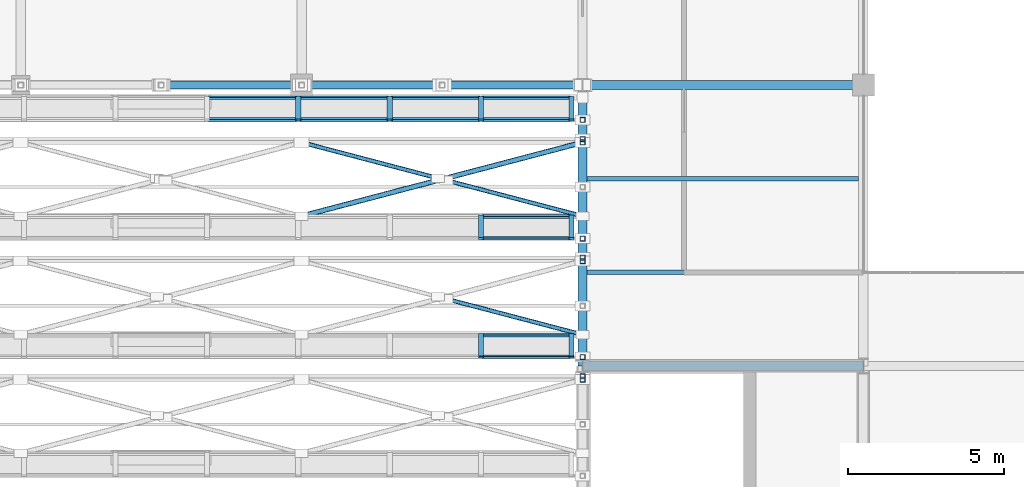
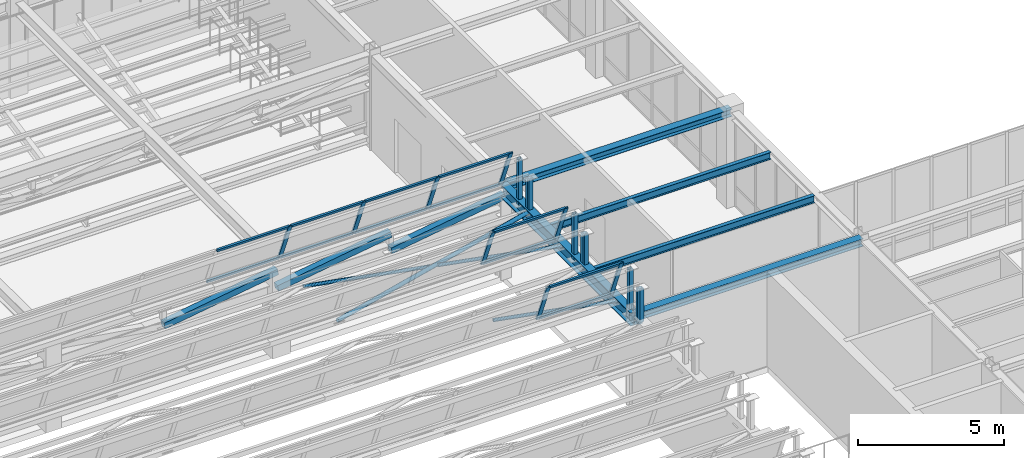
# One storey, part 25 of 108: 36 members, 5 beams, 3 elements without a shape of their own.
"""IFC4 building model written with IfcOpenShell, lengths in metres."""

from ifc_helpers import new_model, si_unit, direction, frame, origin, origin_2d, place, context, subcontext, project, spatial, hollow_rectangle, hollow_circle, i_section, extrude, material, material_profile, profile_set, type_object, element, aggregate, save


model = new_model("IFC4")

# Units and contexts
model_context = context("Model", 3, precision=1e-05, world=origin(), true_north=direction((0.0, 1.0)))
body_context = subcontext(model_context, "Body", "Model", "MODEL_VIEW")
ifc_project = project(units=[si_unit("LENGTHUNIT", "METRE"), si_unit("AREAUNIT", "SQUARE_METRE"), si_unit("VOLUMEUNIT", "CUBIC_METRE"), si_unit("PLANEANGLEUNIT", "RADIAN"), si_unit("MASSUNIT", "GRAM", prefix="KILO")], contexts=[model_context])

# Site, building, storey
site_placement = place(None, origin())
site = spatial("IfcSite", under=ifc_project, at=site_placement, CompositionType="ELEMENT")
building_placement = place(site_placement, origin())
building = spatial("IfcBuilding", under=site, at=building_placement, Name="Lykobir Media Centre", CompositionType="ELEMENT")
storey_placement = place(building_placement, frame((0.0, 0.0, 15.0)))
storey = spatial("IfcBuildingStorey", under=building, at=storey_placement, Name="L03", CompositionType="ELEMENT", Elevation=15.0)

# Beam
ifc_material_1 = material(Name="Steel S355", Category="steel")
ifc_material_profile_1 = material_profile(ifc_material_1, i_section(OverallWidth=0.300048828125, OverallDepth=0.550048828125, WebThickness=0.014892578125, FlangeThickness=0.029052734375, at=origin_2d()), Name="HEB 550")
ifc_profile_set_1 = profile_set([ifc_material_profile_1], Name="Steel S355")
beam_type_1 = type_object("IfcBeamType", Name="BM-SAW550", PredefinedType="BEAM", material=ifc_profile_set_1)
beam_placement = place(storey_placement, frame((27.0, 18.0, 3.675048828125), z_axis=(0.0, 1.0, 0.0), x_axis=(-1.0, 0.0, 0.0)))
element("IfcBeam", 1, at=beam_placement, inside=storey, type_object=beam_type_1, Name="Beam BM-L03-0270-0180-0270-0270-1868", PredefinedType="BEAM", context=body_context, shape_type="SweptSolid", body=[
    extrude(i_section(OverallWidth=0.300048828125, OverallDepth=0.550048828125, WebThickness=0.014892578125, FlangeThickness=0.029052734375, at=origin_2d()), origin(), (0.0, 0.0, 1.0), 9.0),
])

# Members
ifc_material_profile_2 = material_profile(ifc_material_1, hollow_circle(Radius=0.06982421875, WallThickness=0.008056640625, at=origin_2d()), Name="CHS 139.7x8.0")
ifc_profile_set_2 = profile_set([ifc_material_profile_2], Name="Steel S355")
member_type_1 = type_object("IfcMemberType", Name="BR-CHS140", PredefinedType="BRACE", material=ifc_profile_set_2)
for number, where, z_axis, x_axis, name in (
    (2, (27.0, 19.0, 3.840087890625), (-0.967266997824, 0.253760822274, 0.0), (-0.253760822274, -0.967266997824, 0.0), "Diagonal brace MEM2-L03-0270-0190-0188-0226-0201-0255"),
    (3, (27.0, 22.800048828125, 3.840087890625), (-0.967253715929, 0.253811443834, 0.0), (-0.253811443834, -0.967253715929, 0.0), "Diagonal brace MEM2-L03-0270-0228-0188-0226-0239-0276"),
    (4, (22.364501953125, 24.01611328125, 3.840087890625), (-0.967253715929, 0.253811443834, 0.0), (-0.253811443834, -0.967253715929, 0.0), "Diagonal brace MEM2-L03-0224-0240-0188-0180-0252-0277"),
):
    element("IfcMember", number, at=place(storey_placement, frame(where, z_axis=z_axis, x_axis=x_axis)), inside=storey, type_object=member_type_1, Name=name, PredefinedType="BRACE", context=body_context, shape_type="SweptSolid", body=[
        extrude(hollow_circle(Radius=0.06982421875, WallThickness=0.008056640625, at=origin_2d()), origin(), (0.0, 0.0, 1.0), 4.51220703125),
    ])
ifc_material_profile_3 = material_profile(ifc_material_1, hollow_circle(Radius=0.084228515625, WallThickness=0.010009765625, at=origin_2d()), Name="CHS 168.3x10.0")
ifc_profile_set_3 = profile_set([ifc_material_profile_3], Name="Steel S355")
member_type_2 = type_object("IfcMemberType", Name="BR-CHS168", PredefinedType="BRACE", material=ifc_profile_set_3)
member_1_placement = place(storey_placement, frame((18.0, 22.800048828125, 3.840087890625), z_axis=(0.967261887678, 0.253780299957, 0.0), x_axis=(-0.253780299957, 0.967261887678, 0.0)))
element("IfcMember", 5, at=member_1_placement, inside=storey, type_object=member_type_2, Name="Diagonal brace MEM2-L03-0180-0228-0188-0270-0252-0275", PredefinedType="BRACE", context=body_context, shape_type="SweptSolid", body=[
    extrude(hollow_circle(Radius=0.084228515625, WallThickness=0.010009765625, at=origin_2d()), origin(), (0.0, 0.0, 1.0), 9.3046875),
])
ifc_material_profile_4 = material_profile(ifc_material_1, hollow_rectangle(XDim=0.159912109375, YDim=0.159912109375, WallThickness=0.008056640625, at=origin_2d()), Name="SHS 160x160x8")
ifc_profile_set_4 = profile_set([ifc_material_profile_4], Name="Steel S355")
member_type_3 = type_object("IfcMemberType", Name="BR-SHS160", PredefinedType="BRACE", material=ifc_profile_set_4)
member_2_placement = place(storey_placement, frame((27.0, 18.28125, 3.699951171875), z_axis=(0.0, 0.0, 1.0), x_axis=(1.0, 0.0, 0.0)))
element("IfcMember", 6, at=member_2_placement, inside=storey, type_object=member_type_3, Name="Diagonal brace MEM2-L03-0270-0183-0187-0270-0183-0223", PredefinedType="BRACE", context=body_context, shape_type="SweptSolid", body=[
    extrude(hollow_rectangle(XDim=0.159912109375, YDim=0.159912109375, WallThickness=0.008056640625, at=origin_2d()), origin(), (0.0, 0.0, 1.0), 1.928955078125),
])
member_3_placement = place(storey_placement, frame((27.0, 17.561279296875, 3.840087890625), z_axis=(0.0, 0.0, 1.0), x_axis=(1.0, 0.0, 0.0)))
element("IfcMember", 7, at=member_3_placement, inside=storey, type_object=member_type_3, Name="Diagonal brace MEM2-L03-0270-0176-0188-0270-0176-0225", PredefinedType="BRACE", context=body_context, shape_type="SweptSolid", body=[
    extrude(hollow_rectangle(XDim=0.159912109375, YDim=0.159912109375, WallThickness=0.008056640625, at=origin_2d()), origin(), (0.0, 0.0, 1.0), 1.4033203125),
])
member_4_placement = place(storey_placement, frame((27.0, 17.66796875, 3.699951171875), z_axis=(0.0, 0.0, 1.0), x_axis=(1.0, 0.0, 0.0)))
element("IfcMember", 8, at=member_4_placement, inside=storey, type_object=member_type_3, Name="Diagonal brace MEM2-L03-0270-0177-0187-0270-0177-0240", PredefinedType="BRACE", context=body_context, shape_type="SweptSolid", body=[
    extrude(hollow_rectangle(XDim=0.159912109375, YDim=0.159912109375, WallThickness=0.008056640625, at=origin_2d()), origin(), (0.0, 0.0, 1.0), 1.472412109375),
])
member_5_placement = place(storey_placement, frame((27.0, 22.081298828125, 3.699951171875), z_axis=(0.0, 0.0, 1.0), x_axis=(1.0, 0.0, 0.0)))
element("IfcMember", 9, at=member_5_placement, inside=storey, type_object=member_type_3, Name="Diagonal brace MEM2-L03-0270-0221-0187-0270-0221-0243", PredefinedType="BRACE", context=body_context, shape_type="SweptSolid", body=[
    extrude(hollow_rectangle(XDim=0.159912109375, YDim=0.159912109375, WallThickness=0.008056640625, at=origin_2d()), origin(), (0.0, 0.0, 1.0), 1.928955078125),
])
member_6_placement = place(storey_placement, frame((27.0, 21.361328125, 3.840087890625), z_axis=(0.0, 0.0, 1.0), x_axis=(1.0, 0.0, 0.0)))
element("IfcMember", 10, at=member_6_placement, inside=storey, type_object=member_type_3, Name="Diagonal brace MEM2-L03-0270-0214-0188-0270-0214-0245", PredefinedType="BRACE", context=body_context, shape_type="SweptSolid", body=[
    extrude(hollow_rectangle(XDim=0.159912109375, YDim=0.159912109375, WallThickness=0.008056640625, at=origin_2d()), origin(), (0.0, 0.0, 1.0), 1.4033203125),
])
member_7_placement = place(storey_placement, frame((27.0, 21.468017578125, 3.699951171875), z_axis=(0.0, 0.0, 1.0), x_axis=(1.0, 0.0, 0.0)))
element("IfcMember", 11, at=member_7_placement, inside=storey, type_object=member_type_3, Name="Diagonal brace MEM2-L03-0270-0215-0187-0270-0215-0260", PredefinedType="BRACE", context=body_context, shape_type="SweptSolid", body=[
    extrude(hollow_rectangle(XDim=0.159912109375, YDim=0.159912109375, WallThickness=0.008056640625, at=origin_2d()), origin(), (0.0, 0.0, 1.0), 1.472412109375),
])
member_8_placement = place(storey_placement, frame((27.0, 25.88134765625, 3.699951171875), z_axis=(0.0, 0.0, 1.0), x_axis=(1.0, 0.0, 0.0)))
element("IfcMember", 12, at=member_8_placement, inside=storey, type_object=member_type_3, Name="Diagonal brace MEM2-L03-0270-0259-0187-0270-0259-0263", PredefinedType="BRACE", context=body_context, shape_type="SweptSolid", body=[
    extrude(hollow_rectangle(XDim=0.159912109375, YDim=0.159912109375, WallThickness=0.008056640625, at=origin_2d()), origin(), (0.0, 0.0, 1.0), 1.928955078125),
])
member_9_placement = place(storey_placement, frame((27.0, 25.161376953125, 3.840087890625), z_axis=(0.0, 0.0, 1.0), x_axis=(1.0, 0.0, 0.0)))
element("IfcMember", 13, at=member_9_placement, inside=storey, type_object=member_type_3, Name="Diagonal brace MEM2-L03-0270-0252-0188-0270-0252-0265", PredefinedType="BRACE", context=body_context, shape_type="SweptSolid", body=[
    extrude(hollow_rectangle(XDim=0.159912109375, YDim=0.159912109375, WallThickness=0.008056640625, at=origin_2d()), origin(), (0.0, 0.0, 1.0), 1.4033203125),
])
member_10_placement = place(storey_placement, frame((27.0, 25.267822265625, 3.699951171875), z_axis=(0.0, 0.0, 1.0), x_axis=(1.0, 0.0, 0.0)))
element("IfcMember", 14, at=member_10_placement, inside=storey, type_object=member_type_3, Name="Diagonal brace MEM2-L03-0270-0253-0187-0270-0253-0281", PredefinedType="BRACE", context=body_context, shape_type="SweptSolid", body=[
    extrude(hollow_rectangle(XDim=0.159912109375, YDim=0.159912109375, WallThickness=0.008056640625, at=origin_2d()), origin(), (0.0, 0.0, 1.0), 1.472412109375),
])
ifc_material_profile_5 = material_profile(ifc_material_1, hollow_rectangle(XDim=0.25, YDim=0.25, WallThickness=0.012451171875, at=origin_2d()), Name="SHS 250x250x12.5")
ifc_profile_set_5 = profile_set([ifc_material_profile_5], Name="Steel S355")
member_type_4 = type_object("IfcMemberType", Name="BR-SHS250", PredefinedType="BRACE", material=ifc_profile_set_5)
for number, where, z_axis, x_axis, name in (
    (15, (13.5, 27.0, 2.699951171875), (0.988118097326, 0.0, 0.153696537817), (0.0, 1.0, 0.0), "Diagonal brace MEM2-L03-0135-0270-0177-0180-0270-0103"),
    (16, (18.0, 27.0, 2.699951171875), (0.988118097326, 0.0, 0.153696537817), (0.0, 1.0, 0.0), "Diagonal brace MEM2-L03-0180-0270-0177-0225-0270-0105"),
    (17, (22.5, 27.0, 2.699951171875), (0.988118097326, 0.0, 0.153696537817), (0.0, 1.0, 0.0), "Diagonal brace MEM2-L03-0225-0270-0177-0270-0270-0107"),
):
    element("IfcMember", number, at=place(storey_placement, frame(where, z_axis=z_axis, x_axis=x_axis)), inside=storey, type_object=member_type_4, Name=name, PredefinedType="BRACE", context=body_context, shape_type="SweptSolid", body=[
        extrude(hollow_rectangle(XDim=0.25, YDim=0.25, WallThickness=0.012451171875, at=origin_2d()), origin(), (0.0, 0.0, 1.0), 4.55419921875),
    ])

# Curtain wall, members
ifc_material_2 = material(Name="Anodized Aluminium AW-6060", Category="aluminium")
curtain_wall_type = type_object("IfcCurtainWallType", Name="CW-NL-V1", PredefinedType="NOTDEFINED", material=ifc_material_2)
curtain_wall_1_placement = place(storey_placement, origin())
curtain_wall_1 = element("IfcCurtainWall", 18, at=curtain_wall_1_placement, inside=storey, type_object=curtain_wall_type, Name="Curtain wall CW-NL-V1-05", PredefinedType="NOTDEFINED")
ifc_material_profile_6 = material_profile(ifc_material_2, hollow_rectangle(XDim=0.070068359375, YDim=0.1650390625, WallThickness=0.00390625, at=origin_2d()), Name="ALU MULLION 70x165")
ifc_profile_set_6 = profile_set([ifc_material_profile_6], Name="Anodized Aluminium AW-6060")
member_type_5 = type_object("IfcMemberType", Name="CWM-165", PredefinedType="MULLION", material=ifc_profile_set_6)
member_11_placement = place(storey_placement, frame((23.751220703125, 19.0, 4.199951171875), z_axis=(0.0, -0.374591377287, 0.927190002137), x_axis=(0.0, 0.927190002137, 0.374591377287)))
member_11 = element("IfcMember", 19, at=member_11_placement, type_object=member_type_5, Name="CW-NL-V1-05 mullion 9", PredefinedType="MULLION", context=body_context, shape_type="SweptSolid", body=[
    extrude(hollow_rectangle(XDim=0.070068359375, YDim=0.1650390625, WallThickness=0.00390625, at=origin_2d()), origin(), (0.0, 0.0, 1.0), 1.918701171875),
])
member_12_placement = place(storey_placement, frame((26.64501953125, 19.0, 4.199951171875), z_axis=(0.0, -0.374591377287, 0.927190002137), x_axis=(0.0, 0.927190002137, 0.374591377287)))
member_12 = element("IfcMember", 20, at=member_12_placement, type_object=member_type_5, Name="CW-NL-V1-05 mullion 10", PredefinedType="MULLION", context=body_context, shape_type="SweptSolid", body=[
    extrude(hollow_rectangle(XDim=0.070068359375, YDim=0.1650390625, WallThickness=0.00390625, at=origin_2d()), origin(), (0.0, 0.0, 1.0), 1.918701171875),
])

curtain_wall_2_placement = place(storey_placement, origin())
curtain_wall_2 = element("IfcCurtainWall", 21, at=curtain_wall_2_placement, inside=storey, type_object=curtain_wall_type, Name="Curtain wall CW-NL-V1-06", PredefinedType="NOTDEFINED")
member_13_placement = place(storey_placement, frame((23.751220703125, 22.800048828125, 4.199951171875), z_axis=(0.0, -0.374591377287, 0.927190002137), x_axis=(0.0, 0.927190002137, 0.374591377287)))
member_13 = element("IfcMember", 22, at=member_13_placement, type_object=member_type_5, Name="CW-NL-V1-06 mullion 9", PredefinedType="MULLION", context=body_context, shape_type="SweptSolid", body=[
    extrude(hollow_rectangle(XDim=0.070068359375, YDim=0.1650390625, WallThickness=0.00390625, at=origin_2d()), origin(), (0.0, 0.0, 1.0), 1.918701171875),
])
member_14_placement = place(storey_placement, frame((26.64501953125, 22.800048828125, 4.199951171875), z_axis=(0.0, -0.374591377287, 0.927190002137), x_axis=(0.0, 0.927190002137, 0.374591377287)))
member_14 = element("IfcMember", 23, at=member_14_placement, type_object=member_type_5, Name="CW-NL-V1-06 mullion 10", PredefinedType="MULLION", context=body_context, shape_type="SweptSolid", body=[
    extrude(hollow_rectangle(XDim=0.070068359375, YDim=0.1650390625, WallThickness=0.00390625, at=origin_2d()), origin(), (0.0, 0.0, 1.0), 1.918701171875),
])

curtain_wall_3_placement = place(storey_placement, origin())
curtain_wall_3 = element("IfcCurtainWall", 24, at=curtain_wall_3_placement, inside=storey, type_object=curtain_wall_type, Name="Curtain wall CW-NL-V1-07", PredefinedType="NOTDEFINED")
member_15_placement = place(storey_placement, frame((17.893310546875, 26.60009765625, 4.199951171875), z_axis=(0.0, -0.374700754386, 0.927145805504), x_axis=(0.0, 0.927145805504, 0.374700754386)))
member_15 = element("IfcMember", 25, at=member_15_placement, type_object=member_type_5, Name="CW-NL-V1-07 mullion 7", PredefinedType="MULLION", context=body_context, shape_type="SweptSolid", body=[
    extrude(hollow_rectangle(XDim=0.070068359375, YDim=0.1650390625, WallThickness=0.00390625, at=origin_2d()), origin(), (0.0, 0.0, 1.0), 1.9189453125),
])
member_16_placement = place(storey_placement, frame((20.822265625, 26.60009765625, 4.199951171875), z_axis=(0.0, -0.374700754386, 0.927145805504), x_axis=(0.0, 0.927145805504, 0.374700754386)))
member_16 = element("IfcMember", 26, at=member_16_placement, type_object=member_type_5, Name="CW-NL-V1-07 mullion 8", PredefinedType="MULLION", context=body_context, shape_type="SweptSolid", body=[
    extrude(hollow_rectangle(XDim=0.070068359375, YDim=0.1650390625, WallThickness=0.00390625, at=origin_2d()), origin(), (0.0, 0.0, 1.0), 1.9189453125),
])
member_17_placement = place(storey_placement, frame((23.751220703125, 26.60009765625, 4.199951171875), z_axis=(0.0, -0.374700754386, 0.927145805504), x_axis=(0.0, 0.927145805504, 0.374700754386)))
member_17 = element("IfcMember", 27, at=member_17_placement, type_object=member_type_5, Name="CW-NL-V1-07 mullion 9", PredefinedType="MULLION", context=body_context, shape_type="SweptSolid", body=[
    extrude(hollow_rectangle(XDim=0.070068359375, YDim=0.1650390625, WallThickness=0.00390625, at=origin_2d()), origin(), (0.0, 0.0, 1.0), 1.9189453125),
])
member_18_placement = place(storey_placement, frame((26.64501953125, 26.60009765625, 4.199951171875), z_axis=(0.0, -0.374700754386, 0.927145805504), x_axis=(0.0, 0.927145805504, 0.374700754386)))
member_18 = element("IfcMember", 28, at=member_18_placement, type_object=member_type_5, Name="CW-NL-V1-07 mullion 10", PredefinedType="MULLION", context=body_context, shape_type="SweptSolid", body=[
    extrude(hollow_rectangle(XDim=0.070068359375, YDim=0.1650390625, WallThickness=0.00390625, at=origin_2d()), origin(), (0.0, 0.0, 1.0), 1.9189453125),
])

# Member
ifc_material_profile_7 = material_profile(ifc_material_2, hollow_rectangle(XDim=0.070068359375, YDim=0.135009765625, WallThickness=0.00341796875, at=origin_2d()), Name="ALU TRANSOM 70x135")
ifc_profile_set_7 = profile_set([ifc_material_profile_7], Name="Anodized Aluminium AW-6060")
member_type_6 = type_object("IfcMemberType", Name="CWT-135", PredefinedType="USERDEFINED", material=ifc_profile_set_7)
member_19_placement = place(storey_placement, frame((23.7861328125, 18.98681640625, 4.232421875), z_axis=(1.0, 0.0, 0.0), x_axis=(0.0, 0.927183854567, 0.374606593416)))
member_19 = element("IfcMember", 29, at=member_19_placement, type_object=member_type_6, Name="CW-NL-V1-05 transom 9.1", ObjectType="TRANSOM", PredefinedType="USERDEFINED", context=body_context, shape_type="SweptSolid", body=[
    extrude(hollow_rectangle(XDim=0.070068359375, YDim=0.135009765625, WallThickness=0.00341796875, at=origin_2d()), origin(), (0.0, 0.0, 1.0), 2.823974609375),
])

member_20_placement = place(storey_placement, frame((23.7861328125, 18.29443359375, 5.946533203125), z_axis=(1.0, 0.0, 0.0), x_axis=(0.0, 0.927183854567, 0.374606593416)))
member_20 = element("IfcMember", 30, at=member_20_placement, type_object=member_type_6, Name="CW-NL-V1-05 transom 9.2", ObjectType="TRANSOM", PredefinedType="USERDEFINED", context=body_context, shape_type="SweptSolid", body=[
    extrude(hollow_rectangle(XDim=0.070068359375, YDim=0.135009765625, WallThickness=0.00341796875, at=origin_2d()), origin(), (0.0, 0.0, 1.0), 2.823974609375),
])

aggregate(curtain_wall_1, [member_11, member_12, member_19, member_20])

member_21_placement = place(storey_placement, frame((23.7861328125, 22.786865234375, 4.232421875), z_axis=(1.0, 0.0, 0.0), x_axis=(0.0, 0.927183854567, 0.374606593416)))
member_21 = element("IfcMember", 31, at=member_21_placement, type_object=member_type_6, Name="CW-NL-V1-06 transom 9.1", ObjectType="TRANSOM", PredefinedType="USERDEFINED", context=body_context, shape_type="SweptSolid", body=[
    extrude(hollow_rectangle(XDim=0.070068359375, YDim=0.135009765625, WallThickness=0.00341796875, at=origin_2d()), origin(), (0.0, 0.0, 1.0), 2.823974609375),
])

member_22_placement = place(storey_placement, frame((23.7861328125, 22.094482421875, 5.946533203125), z_axis=(1.0, 0.0, 0.0), x_axis=(0.0, 0.927183854567, 0.374606593416)))
member_22 = element("IfcMember", 32, at=member_22_placement, type_object=member_type_6, Name="CW-NL-V1-06 transom 9.2", ObjectType="TRANSOM", PredefinedType="USERDEFINED", context=body_context, shape_type="SweptSolid", body=[
    extrude(hollow_rectangle(XDim=0.070068359375, YDim=0.135009765625, WallThickness=0.00341796875, at=origin_2d()), origin(), (0.0, 0.0, 1.0), 2.823974609375),
])

aggregate(curtain_wall_2, [member_13, member_14, member_21, member_22])

member_23_placement = place(storey_placement, frame((14.99951171875, 26.5869140625, 4.232421875), z_axis=(1.0, 0.0, 0.0), x_axis=(0.0, 0.927183854567, 0.374606593416)))
member_23 = element("IfcMember", 33, at=member_23_placement, type_object=member_type_6, Name="CW-NL-V1-07 transom 6.1", ObjectType="TRANSOM", PredefinedType="USERDEFINED", context=body_context, shape_type="SweptSolid", body=[
    extrude(hollow_rectangle(XDim=0.070068359375, YDim=0.135009765625, WallThickness=0.00341796875, at=origin_2d()), origin(), (0.0, 0.0, 1.0), 2.85888671875),
])

member_24_placement = place(storey_placement, frame((14.99951171875, 25.894287109375, 5.946533203125), z_axis=(1.0, 0.0, 0.0), x_axis=(0.0, 0.927183854567, 0.374606593416)))
member_24 = element("IfcMember", 34, at=member_24_placement, type_object=member_type_6, Name="CW-NL-V1-07 transom 6.2", ObjectType="TRANSOM", PredefinedType="USERDEFINED", context=body_context, shape_type="SweptSolid", body=[
    extrude(hollow_rectangle(XDim=0.070068359375, YDim=0.135009765625, WallThickness=0.00341796875, at=origin_2d()), origin(), (0.0, 0.0, 1.0), 2.85888671875),
])

member_25_placement = place(storey_placement, frame((17.92822265625, 26.5869140625, 4.232421875), z_axis=(1.0, 0.0, 0.0), x_axis=(0.0, 0.927183854567, 0.374606593416)))
member_25 = element("IfcMember", 35, at=member_25_placement, type_object=member_type_6, Name="CW-NL-V1-07 transom 7.1", ObjectType="TRANSOM", PredefinedType="USERDEFINED", context=body_context, shape_type="SweptSolid", body=[
    extrude(hollow_rectangle(XDim=0.070068359375, YDim=0.135009765625, WallThickness=0.00341796875, at=origin_2d()), origin(), (0.0, 0.0, 1.0), 2.85888671875),
])

member_26_placement = place(storey_placement, frame((17.92822265625, 25.894287109375, 5.946533203125), z_axis=(1.0, 0.0, 0.0), x_axis=(0.0, 0.927183854567, 0.374606593416)))
member_26 = element("IfcMember", 36, at=member_26_placement, type_object=member_type_6, Name="CW-NL-V1-07 transom 7.2", ObjectType="TRANSOM", PredefinedType="USERDEFINED", context=body_context, shape_type="SweptSolid", body=[
    extrude(hollow_rectangle(XDim=0.070068359375, YDim=0.135009765625, WallThickness=0.00341796875, at=origin_2d()), origin(), (0.0, 0.0, 1.0), 2.85888671875),
])

member_27_placement = place(storey_placement, frame((20.857177734375, 26.5869140625, 4.232421875), z_axis=(1.0, 0.0, 0.0), x_axis=(0.0, 0.927183854567, 0.374606593416)))
member_27 = element("IfcMember", 37, at=member_27_placement, type_object=member_type_6, Name="CW-NL-V1-07 transom 8.1", ObjectType="TRANSOM", PredefinedType="USERDEFINED", context=body_context, shape_type="SweptSolid", body=[
    extrude(hollow_rectangle(XDim=0.070068359375, YDim=0.135009765625, WallThickness=0.00341796875, at=origin_2d()), origin(), (0.0, 0.0, 1.0), 2.85888671875),
])

member_28_placement = place(storey_placement, frame((20.857177734375, 25.894287109375, 5.946533203125), z_axis=(1.0, 0.0, 0.0), x_axis=(0.0, 0.927183854567, 0.374606593416)))
member_28 = element("IfcMember", 38, at=member_28_placement, type_object=member_type_6, Name="CW-NL-V1-07 transom 8.2", ObjectType="TRANSOM", PredefinedType="USERDEFINED", context=body_context, shape_type="SweptSolid", body=[
    extrude(hollow_rectangle(XDim=0.070068359375, YDim=0.135009765625, WallThickness=0.00341796875, at=origin_2d()), origin(), (0.0, 0.0, 1.0), 2.85888671875),
])

member_29_placement = place(storey_placement, frame((23.7861328125, 26.5869140625, 4.232421875), z_axis=(1.0, 0.0, 0.0), x_axis=(0.0, 0.927183854567, 0.374606593416)))
member_29 = element("IfcMember", 39, at=member_29_placement, type_object=member_type_6, Name="CW-NL-V1-07 transom 9.1", ObjectType="TRANSOM", PredefinedType="USERDEFINED", context=body_context, shape_type="SweptSolid", body=[
    extrude(hollow_rectangle(XDim=0.070068359375, YDim=0.135009765625, WallThickness=0.00341796875, at=origin_2d()), origin(), (0.0, 0.0, 1.0), 2.823974609375),
])

member_30_placement = place(storey_placement, frame((23.7861328125, 25.894287109375, 5.946533203125), z_axis=(1.0, 0.0, 0.0), x_axis=(0.0, 0.927183854567, 0.374606593416)))
member_30 = element("IfcMember", 40, at=member_30_placement, type_object=member_type_6, Name="CW-NL-V1-07 transom 9.2", ObjectType="TRANSOM", PredefinedType="USERDEFINED", context=body_context, shape_type="SweptSolid", body=[
    extrude(hollow_rectangle(XDim=0.070068359375, YDim=0.135009765625, WallThickness=0.00341796875, at=origin_2d()), origin(), (0.0, 0.0, 1.0), 2.823974609375),
])

aggregate(curtain_wall_3, [member_15, member_16, member_17, member_18, member_23, member_24, member_25, member_26, member_27, member_28, member_29, member_30])

# Beams
ifc_material_profile_8 = material_profile(ifc_material_1, i_section(OverallWidth=0.14990234375, OverallDepth=0.300048828125, WebThickness=0.007080078125, FlangeThickness=0.0107421875, at=origin_2d()), Name="IPE 300")
ifc_profile_set_8 = profile_set([ifc_material_profile_8], Name="Steel S355")
beam_type_2 = type_object("IfcBeamType", Name="JS-IPE300", PredefinedType="JOIST", material=ifc_profile_set_8)
for number, where, z_axis, x_axis, name in (
    (41, (27.14990234375, 21.0, 3.81005859375), (1.0, 0.0, 0.0), (0.0, 1.0, 0.0), "Beam BM-L03-0272-0210-0358-0210-1881"),
    (42, (27.14990234375, 24.0, 3.81005859375), (1.0, 0.0, 0.0), (0.0, 1.0, 0.0), "Beam BM-L03-0272-0240-0358-0240-1881"),
):
    element("IfcBeam", number, at=place(storey_placement, frame(where, z_axis=z_axis, x_axis=x_axis)), inside=storey, type_object=beam_type_2, Name=name, PredefinedType="JOIST", context=body_context, shape_type="SweptSolid", body=[
        extrude(i_section(OverallWidth=0.14990234375, OverallDepth=0.300048828125, WebThickness=0.007080078125, FlangeThickness=0.0107421875, at=origin_2d()), origin(), (0.0, 0.0, 1.0), 8.7001953125),
    ])
ifc_material_profile_9 = material_profile(ifc_material_1, i_section(OverallWidth=0.300048828125, OverallDepth=0.31005859375, WebThickness=0.009033203125, FlangeThickness=0.015380859375, at=origin_2d()), Name="HEA 320")
ifc_profile_set_9 = profile_set([ifc_material_profile_9], Name="Steel S355")
beam_type_3 = type_object("IfcBeamType", Name="SP-HEA320", PredefinedType="SPANDREL", material=ifc_profile_set_9)
for number, where, z_axis, x_axis, name in (
    (43, (27.0, 18.0, 3.804931640625), (1.0, 0.0, 0.0), (0.0, 1.0, 0.0), "Beam BM-L03-0270-0180-0360-0180-1880"),
    (44, (27.0, 27.0, 3.79296875), (1.0, 0.0, 0.0), (0.0, 1.0, 0.0), "Beam BM-L03-0270-0270-0360-0270-1880"),
):
    element("IfcBeam", number, at=place(storey_placement, frame(where, z_axis=z_axis, x_axis=x_axis)), inside=storey, type_object=beam_type_3, Name=name, PredefinedType="SPANDREL", context=body_context, shape_type="SweptSolid", body=[
        extrude(i_section(OverallWidth=0.300048828125, OverallDepth=0.31005859375, WebThickness=0.009033203125, FlangeThickness=0.015380859375, at=origin_2d()), origin(), (0.0, 0.0, 1.0), 9.0),
    ])

save(model, "model.ifc")
